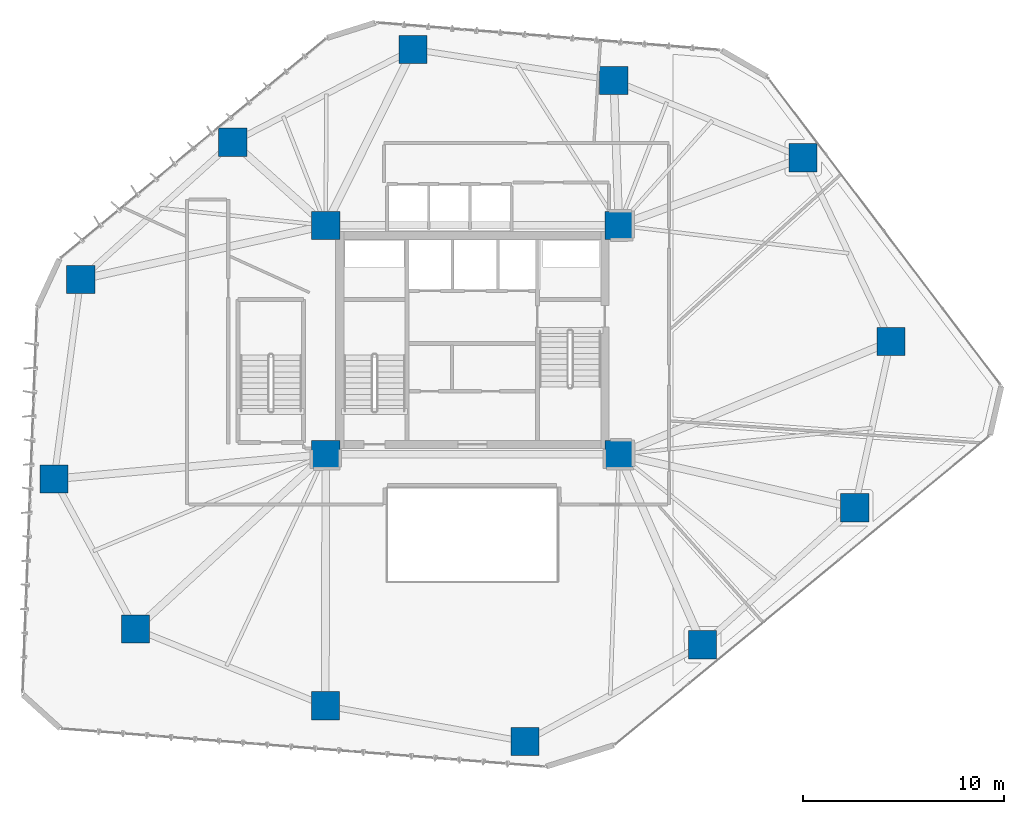
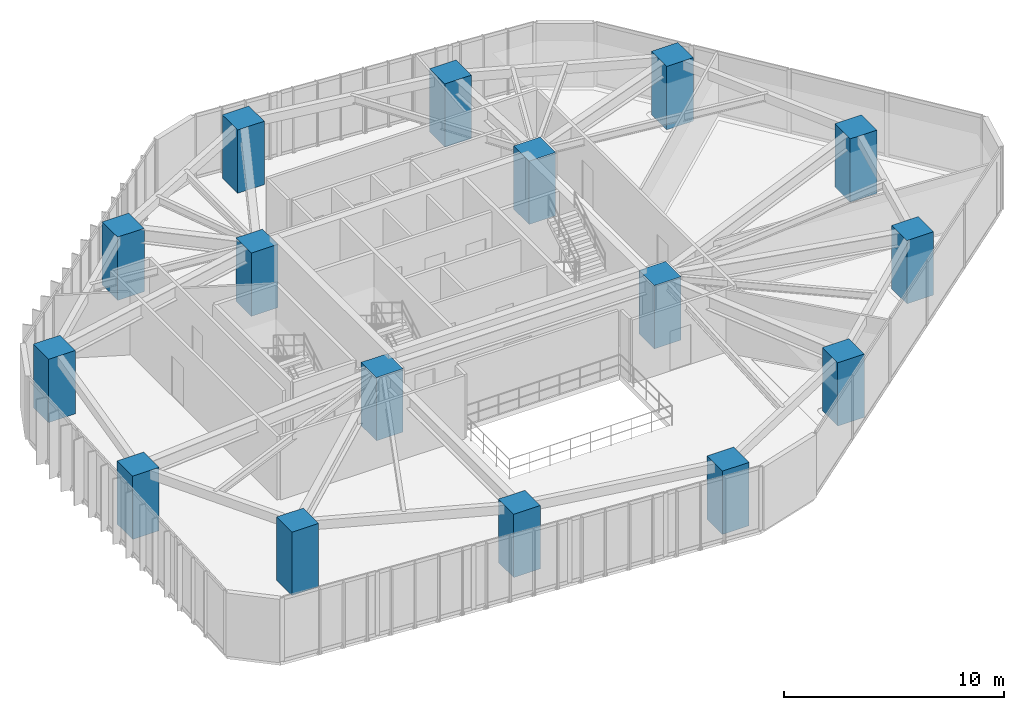
# One storey, part 1 of 23: 16 columns.
"""IFC4 building model written with IfcOpenShell, lengths in metres."""

from ifc_helpers import new_model, si_unit, direction, frame, origin, origin_2d, place, context, subcontext, project, spatial, rectangle, extrude, material, material_profile, profile_set, type_object, element, save


model = new_model("IFC4")

# Units and contexts
model_context = context("Model", 3, precision=1e-05, world=origin(), true_north=direction((0.0, 1.0)))
body_context = subcontext(model_context, "Body", "Model", "MODEL_VIEW")
ifc_project = project(units=[si_unit("LENGTHUNIT", "METRE"), si_unit("AREAUNIT", "SQUARE_METRE"), si_unit("VOLUMEUNIT", "CUBIC_METRE"), si_unit("PLANEANGLEUNIT", "RADIAN"), si_unit("MASSUNIT", "GRAM", prefix="KILO")], contexts=[model_context])

# Site, building, storey
site_placement = place(None, origin())
site = spatial("IfcSite", under=ifc_project, at=site_placement, CompositionType="ELEMENT")
building_placement = place(site_placement, origin())
building = spatial("IfcBuilding", under=site, at=building_placement, Name="Talar Marvaseh", CompositionType="ELEMENT")
storey_placement = place(building_placement, frame((0.0, 0.0, 77.199951171875)))
storey = spatial("IfcBuildingStorey", under=building, at=storey_placement, Name="L19", CompositionType="ELEMENT", Elevation=77.199951171875)

# Columns
ifc_material = material(Name="Concrete C70/85", Category="concrete")
ifc_material_profile = material_profile(ifc_material, rectangle(XDim=1.39990234375, YDim=1.39990234375, at=origin_2d()), Name="RC1400x1400")
ifc_profile_set = profile_set([ifc_material_profile], Name="Concrete C70/85")
column_type = type_object("IfcColumnType", Name="Zone 1 Tube Column RC1400x1400", PredefinedType="COLUMN", material=ifc_profile_set)
for number, where, z_axis, x_axis, name in (
    (1, (42.47705078125, 40.26904296875, 0.0), (0.0, 0.0, 1.0), (1.0, 0.0, 0.0), "L19 Zone 1 Tube Column RC1400x1400"),
    (2, (46.841064453125, 31.118896484375, 0.0), (0.0, 0.0, 1.0), (1.0, 0.0, 0.0), "L19 Zone 1 Tube Column RC1400x1400"),
    (3, (45.0439453125, 22.840087890625, 0.0), (0.0, 0.0, 1.0), (1.0, 0.0, 0.0), "L19 Zone 1 Tube Column RC1400x1400"),
    (4, (37.468017578125, 16.02099609375, 0.0), (0.0, 0.0, 1.0), (1.0, 0.0, 0.0), "L19 Zone 1 Tube Column RC1400x1400"),
    (5, (28.625, 11.195068359375, 0.0), (0.0, 0.0, 1.0), (1.0, 0.0, 0.0), "L19 Zone 1 Tube Column RC1400x1400"),
    (6, (18.68310546875, 12.97900390625, 0.0), (0.0, 0.0, 1.0), (1.0, 0.0, 0.0), "L19 Zone 1 Tube Column RC1400x1400"),
    (7, (9.23193359375, 16.7958984375, 0.0), (0.0, 0.0, 1.0), (1.0, 0.0, 0.0), "L19 Zone 1 Tube Column RC1400x1400"),
    (8, (5.175048828125, 24.27587890625, 0.0), (0.0, 0.0, 1.0), (1.0, 0.0, 0.0), "L19 Zone 1 Tube Column RC1400x1400"),
    (9, (6.501953125, 34.214111328125, 0.0), (0.0, 0.0, 1.0), (1.0, 0.0, 0.0), "L19 Zone 1 Tube Column RC1400x1400"),
    (10, (14.069091796875, 41.04296875, 0.0), (0.0, 0.0, 1.0), (1.0, 0.0, 0.0), "L19 Zone 1 Tube Column RC1400x1400"),
    (11, (23.047119140625, 45.6669921875, 0.0), (0.0, 0.0, 1.0), (1.0, 0.0, 0.0), "L19 Zone 1 Tube Column RC1400x1400"),
    (12, (33.0458984375, 44.117919921875, 0.0), (0.0, 0.0, 1.0), (1.0, 0.0, 0.0), "L19 Zone 1 Tube Column RC1400x1400"),
    (13, (18.699951171875, 25.5, 0.0), (0.0, 0.0, 1.0), (1.0, 0.0, 0.0), "L19 Zone 1 Tube Column RC1400x1400"),
    (14, (33.300048828125, 25.5, 0.0), (0.0, 0.0, 1.0), (1.0, 0.0, 0.0), "L19 Zone 1 Tube Column RC1400x1400"),
    (15, (33.300048828125, 36.89990234375, 0.0), (0.0, 0.0, 1.0), (1.0, 0.0, 0.0), "L19 Zone 1 Tube Column RC1400x1400"),
    (16, (18.699951171875, 36.89990234375, 0.0), (0.0, 0.0, 1.0), (1.0, 0.0, 0.0), "L19 Zone 1 Tube Column RC1400x1400"),
):
    element("IfcColumn", number, at=place(storey_placement, frame(where, z_axis=z_axis, x_axis=x_axis)), inside=storey, type_object=column_type, Name=name, PredefinedType="COLUMN", context=body_context, shape_type="SweptSolid", body=[
        extrude(rectangle(XDim=1.39990234375, YDim=1.39990234375, at=origin_2d()), origin(), (0.0, 0.0, 1.0), 3.52001953125),
    ])

save(model, "model.ifc")
